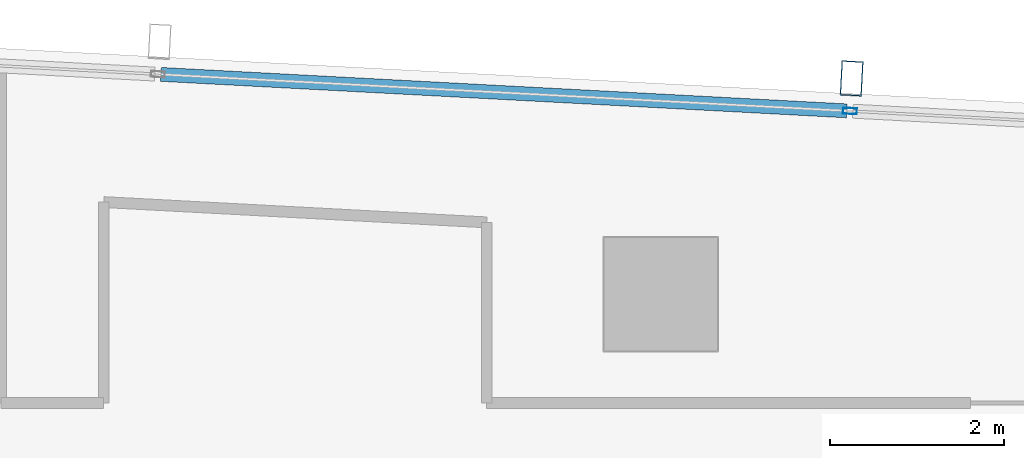
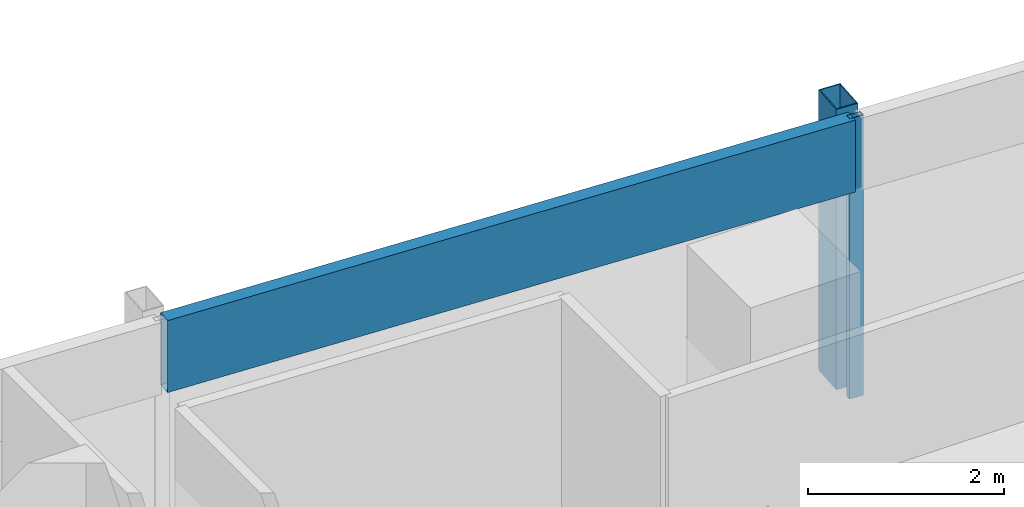
# One storey, part 16 of 28: 3 members, 1 element without a shape of its own.
"""IFC4 building model written with IfcOpenShell, lengths in metres."""

from ifc_helpers import new_model, si_unit, direction, frame, origin, origin_2d, place, context, subcontext, project, spatial, hollow_rectangle, extrude, material, material_profile, profile_set, type_object, element, aggregate, save


model = new_model("IFC4")

# Units and contexts
model_context = context("Model", 3, precision=1e-05, world=origin(), true_north=direction((0.0, 1.0)))
body_context = subcontext(model_context, "Body", "Model", "MODEL_VIEW")
ifc_project = project(units=[si_unit("LENGTHUNIT", "METRE"), si_unit("AREAUNIT", "SQUARE_METRE"), si_unit("VOLUMEUNIT", "CUBIC_METRE"), si_unit("PLANEANGLEUNIT", "RADIAN"), si_unit("MASSUNIT", "GRAM", prefix="KILO")], contexts=[model_context])

# Site, building, storey
site_placement = place(None, origin())
site = spatial("IfcSite", under=ifc_project, at=site_placement, CompositionType="ELEMENT")
building_placement = place(site_placement, origin())
building = spatial("IfcBuilding", under=site, at=building_placement, Name="Rekha Terrace Tower", CompositionType="ELEMENT")
storey_placement = place(building_placement, frame((0.0, 0.0, 268.85009765625)))
storey = spatial("IfcBuildingStorey", under=building, at=storey_placement, Name="L68", CompositionType="ELEMENT", Elevation=268.85009765625)

# Curtain wall, members
ifc_material_1 = material(Name="Aluminium framing", Category="aluminium")
curtain_wall_type = type_object("IfcCurtainWallType", Name="CW3 north unitised glazing", PredefinedType="USERDEFINED", material=ifc_material_1)
curtain_wall_placement = place(storey_placement, origin())
curtain_wall = element("IfcCurtainWall", 1, at=curtain_wall_placement, inside=storey, type_object=curtain_wall_type, Name="CW3 unitised curtain wall", ObjectType="UNITISED CURTAIN WALL", PredefinedType="USERDEFINED")
ifc_material_2 = material(Name="Steel S355 with fluorocarbon finish", Category="steel")
ifc_material_profile_1 = material_profile(ifc_material_2, hollow_rectangle(XDim=0.25, YDim=0.39990234375, WallThickness=0.012451171875, at=origin_2d()), Name="RHS400x250x12.5")
ifc_profile_set_1 = profile_set([ifc_material_profile_1], Name="Steel S355 with fluorocarbon finish")
member_type_1 = type_object("IfcMemberType", Name="BL1 facade blade RHS 400 x 250", PredefinedType="USERDEFINED", material=ifc_profile_set_1)
member_1_placement = place(storey_placement, frame((44.192626953125, 52.87890625, 0.0), z_axis=(0.0, 0.0, 1.0), x_axis=(-0.998590068481, 0.053083661621, 0.0)))
member_1 = element("IfcMember", 2, at=member_1_placement, type_object=member_type_1, Name="Facade blade", ObjectType="FACADE BLADE", PredefinedType="USERDEFINED", context=body_context, shape_type="SweptSolid", body=[
    extrude(hollow_rectangle(XDim=0.25, YDim=0.39990234375, WallThickness=0.012451171875, at=origin_2d()), origin(), (0.0, 0.0, 1.0), 3.5),
])
ifc_material_3 = material(Name="Aluminium mullion section", Category="aluminium")
ifc_material_profile_2 = material_profile(ifc_material_3, hollow_rectangle(XDim=0.070068359375, YDim=0.159912109375, WallThickness=0.00390625, at=origin_2d()), Name="AL RHS 70x160")
ifc_profile_set_2 = profile_set([ifc_material_profile_2], Name="Aluminium mullion section")
member_type_2 = type_object("IfcMemberType", Name="CW3 mullion RHS 70 x 160", PredefinedType="MULLION", material=ifc_profile_set_2)
member_2_placement = place(storey_placement, frame((44.1728515625, 52.50439453125, 0.0), z_axis=(0.0, 0.0, 1.0), x_axis=(-0.053083275524, -0.998590089005, 0.0)))
member_2 = element("IfcMember", 3, at=member_2_placement, type_object=member_type_2, Name="CW3 mullion 3", PredefinedType="MULLION", context=body_context, shape_type="SweptSolid", body=[
    extrude(hollow_rectangle(XDim=0.070068359375, YDim=0.159912109375, WallThickness=0.00390625, at=origin_2d()), origin(), (0.0, 0.0, 1.0), 3.5),
])
ifc_material_4 = material(Name="Insulated aluminium spandrel box", Category="aluminium")
ifc_material_profile_3 = material_profile(ifc_material_4, hollow_rectangle(XDim=0.159912109375, YDim=0.89990234375, WallThickness=0.0029296875, at=origin_2d()), Name="AL SPANDREL BOX 160x900")
ifc_profile_set_3 = profile_set([ifc_material_profile_3], Name="Insulated aluminium spandrel box")
member_type_3 = type_object("IfcMemberType", Name="CW3 spandrel transom 160 x 900", PredefinedType="USERDEFINED", material=ifc_profile_set_3)
member_3_placement = place(storey_placement, frame((44.137939453125, 52.506103515625, 3.0498046875), z_axis=(-0.998589828491, 0.053088176024, 0.0), x_axis=(-0.053088176024, -0.998589828491, 0.0)))
member_3 = element("IfcMember", 4, at=member_3_placement, type_object=member_type_3, Name="CW3 spandrel transom 3", ObjectType="TRANSOM", PredefinedType="USERDEFINED", context=body_context, shape_type="SweptSolid", body=[
    extrude(hollow_rectangle(XDim=0.159912109375, YDim=0.89990234375, WallThickness=0.0029296875, at=origin_2d()), origin(), (0.0, 0.0, 1.0), 7.8916015625),
])
aggregate(curtain_wall, [member_2, member_3, member_1])

save(model, "model.ifc")
